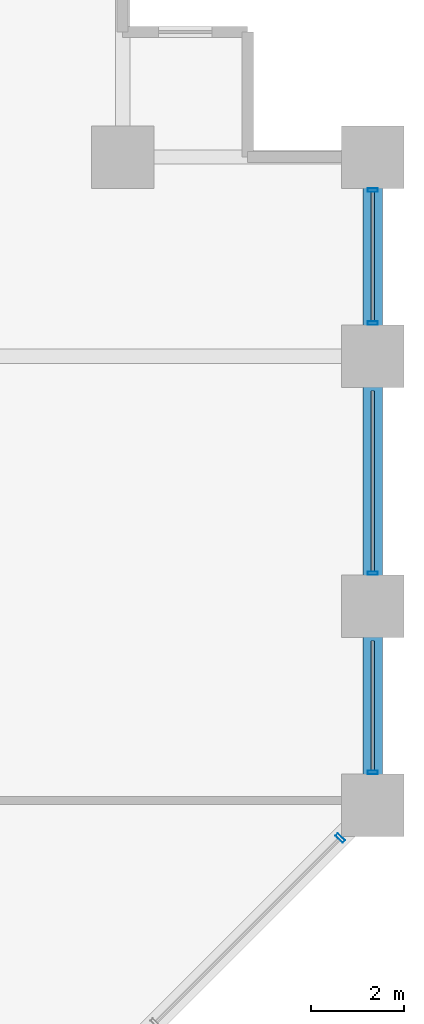
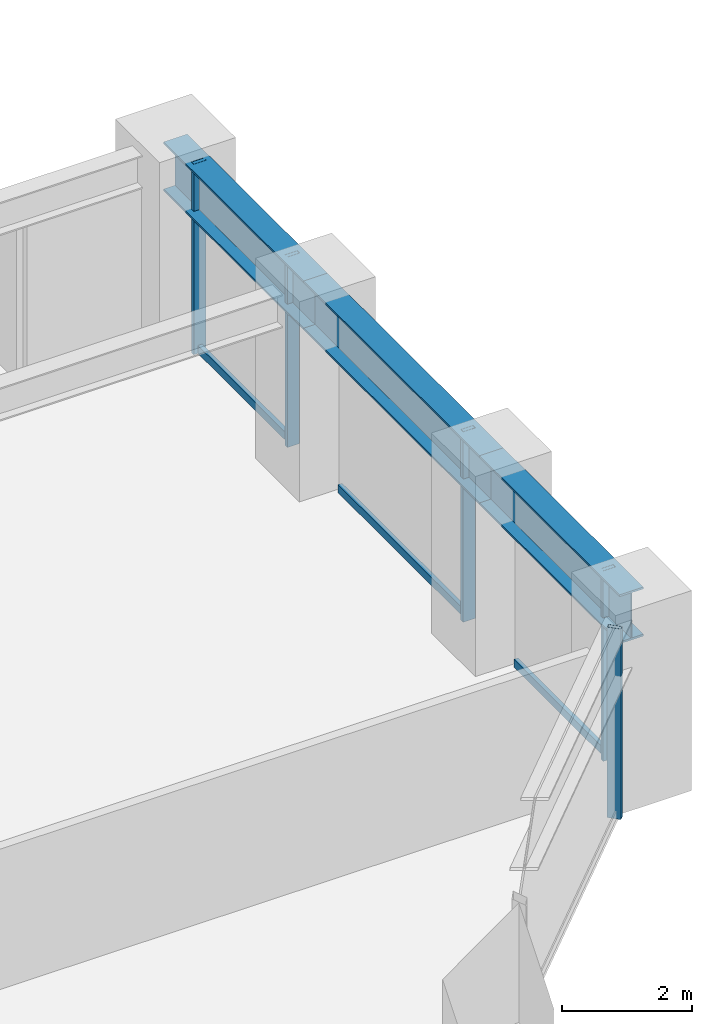
# One storey, part 17 of 25: 8 members, 3 beams, 2 elements without a shape of their own.
"""IFC4 building model written with IfcOpenShell, lengths in metres."""

from ifc_helpers import new_model, si_unit, direction, frame, origin, origin_2d, place, context, subcontext, project, spatial, hollow_rectangle, i_section, extrude, material, layer, layer_set, material_profile, profile_set, type_object, element, aggregate, save


model = new_model("IFC4")

# Units and contexts
model_context = context("Model", 3, precision=1e-05, world=origin(), true_north=direction((0.0, 1.0)))
body_context = subcontext(model_context, "Body", "Model", "MODEL_VIEW")
ifc_project = project(units=[si_unit("LENGTHUNIT", "METRE"), si_unit("AREAUNIT", "SQUARE_METRE"), si_unit("VOLUMEUNIT", "CUBIC_METRE"), si_unit("PLANEANGLEUNIT", "RADIAN"), si_unit("MASSUNIT", "GRAM", prefix="KILO")], contexts=[model_context])

# Site, building, storey
site_placement = place(None, origin())
site = spatial("IfcSite", under=ifc_project, at=site_placement, CompositionType="ELEMENT")
building_placement = place(site_placement, origin())
building = spatial("IfcBuilding", under=site, at=building_placement, Name="Surkhivell Harbour Commons", CompositionType="ELEMENT")
storey_placement = place(building_placement, frame((0.0, 0.0, 45.0)))
storey = spatial("IfcBuildingStorey", under=building, at=storey_placement, Name="L11", CompositionType="ELEMENT", Elevation=45.0)

# Beams
ifc_material_1 = material(Name="Steel S460", Category="steel")
ifc_material_profile_1 = material_profile(ifc_material_1, i_section(OverallWidth=0.419921875, OverallDepth=0.9208984375, WebThickness=0.021484375, FlangeThickness=0.03662109375, at=origin_2d()), Name="UB914x419x388")
ifc_profile_set_1 = profile_set([ifc_material_profile_1], Name="Steel S460")
beam_type = type_object("IfcBeamType", Name="BM-SPN-914A", PredefinedType="SPANDREL", material=ifc_profile_set_1)
beam_1_placement = place(storey_placement, frame((32.39990234375, 6.5, 3.109619140625), z_axis=(0.0, 1.0, 0.0), x_axis=(-1.0, 0.0, 0.0)))
element("IfcBeam", 1, at=beam_1_placement, inside=storey, type_object=beam_type, Name="L11 Tube Spandrel (32.4,6.5)", PredefinedType="SPANDREL", context=body_context, shape_type="SweptSolid", body=[
    extrude(i_section(OverallWidth=0.419921875, OverallDepth=0.9208984375, WebThickness=0.021484375, FlangeThickness=0.03662109375, at=origin_2d()), origin(), (0.0, 0.0, 1.0), 4.300048828125),
])
beam_2_placement = place(storey_placement, frame((32.39990234375, 10.800048828125, 3.109619140625), z_axis=(0.0, 1.0, 0.0), x_axis=(-1.0, 0.0, 0.0)))
element("IfcBeam", 2, at=beam_2_placement, inside=storey, type_object=beam_type, Name="L11 Tube Spandrel (32.4,10.8)", PredefinedType="SPANDREL", context=body_context, shape_type="SweptSolid", body=[
    extrude(i_section(OverallWidth=0.419921875, OverallDepth=0.9208984375, WebThickness=0.021484375, FlangeThickness=0.03662109375, at=origin_2d()), origin(), (0.0, 0.0, 1.0), 5.39990234375),
])
beam_3_placement = place(storey_placement, frame((32.39990234375, 16.199951171875, 3.109619140625), z_axis=(0.0, 1.0, 0.0), x_axis=(-1.0, 0.0, 0.0)))
element("IfcBeam", 3, at=beam_3_placement, inside=storey, type_object=beam_type, Name="L11 Tube Spandrel (32.4,16.2)", PredefinedType="SPANDREL", context=body_context, shape_type="SweptSolid", body=[
    extrude(i_section(OverallWidth=0.419921875, OverallDepth=0.9208984375, WebThickness=0.021484375, FlangeThickness=0.03662109375, at=origin_2d()), origin(), (0.0, 0.0, 1.0), 4.300048828125),
])

# Curtain wall, member
ifc_material_2 = material(Name="Anodised pale-metal aluminium and insulated glazing", Category="aluminium")
ifc_layer = layer(ifc_material_2, 0.219970703125)
ifc_layer_set = layer_set([ifc_layer], Name="Anodised pale-metal aluminium and insulated glazing")
curtain_wall_type = type_object("IfcCurtainWallType", Name="CW-SYS-Z1", PredefinedType="NOTDEFINED", material=ifc_layer_set)
curtain_wall_1_placement = place(storey_placement, origin())
curtain_wall_1 = element("IfcCurtainWall", 4, at=curtain_wall_1_placement, inside=storey, type_object=curtain_wall_type, Name="L11 Curtain Wall CW-L11-E01", PredefinedType="NOTDEFINED")
ifc_material_3 = material(Name="Anodised pale-metal aluminium alloy 6063-T6", Category="aluminium")
ifc_material_profile_2 = material_profile(ifc_material_3, hollow_rectangle(XDim=0.074951171875, YDim=0.219970703125, WallThickness=0.00390625, at=origin_2d()), Name="ALU-MULL-75x220")
ifc_profile_set_2 = profile_set([ifc_material_profile_2], Name="Anodised pale-metal aluminium alloy 6063-T6")
member_type_1 = type_object("IfcMemberType", Name="CWM-220", PredefinedType="MULLION", material=ifc_profile_set_2)
member_1_placement = place(storey_placement, frame((31.69677734375, 5.796630859375, 0.0), z_axis=(0.0, 0.0, 1.0), x_axis=(0.707106781187, 0.707106781187, 0.0)))
member_1 = element("IfcMember", 5, at=member_1_placement, type_object=member_type_1, Name="CW-Z1 mullion 7", PredefinedType="MULLION", context=body_context, shape_type="SweptSolid", body=[
    extrude(hollow_rectangle(XDim=0.074951171875, YDim=0.219970703125, WallThickness=0.00390625, at=origin_2d()), origin(), (0.0, 0.0, 1.0), 3.570068359375),
])
aggregate(curtain_wall_1, [member_1])

# Curtain wall, members
curtain_wall_2_placement = place(storey_placement, origin())
curtain_wall_2 = element("IfcCurtainWall", 6, at=curtain_wall_2_placement, inside=storey, type_object=curtain_wall_type, Name="L11 Curtain Wall CW-L11-E02", PredefinedType="NOTDEFINED")
member_2_placement = place(storey_placement, frame((32.39990234375, 7.214599609375, 0.0), z_axis=(0.0, 0.0, 1.0), x_axis=(0.0, 1.0, 0.0)))
member_2 = element("IfcMember", 7, at=member_2_placement, type_object=member_type_1, Name="CW-Z1 mullion 1", PredefinedType="MULLION", context=body_context, shape_type="SweptSolid", body=[
    extrude(hollow_rectangle(XDim=0.074951171875, YDim=0.219970703125, WallThickness=0.00390625, at=origin_2d()), origin(), (0.0, 0.0, 1.0), 3.570068359375),
])
member_3_placement = place(storey_placement, frame((32.39990234375, 11.514404296875, 0.0), z_axis=(0.0, 0.0, 1.0), x_axis=(0.0, 1.0, 0.0)))
member_3 = element("IfcMember", 8, at=member_3_placement, type_object=member_type_1, Name="CW-Z1 mullion 2", PredefinedType="MULLION", context=body_context, shape_type="SweptSolid", body=[
    extrude(hollow_rectangle(XDim=0.074951171875, YDim=0.219970703125, WallThickness=0.00390625, at=origin_2d()), origin(), (0.0, 0.0, 1.0), 3.570068359375),
])
member_4_placement = place(storey_placement, frame((32.39990234375, 16.91455078125, 0.0), z_axis=(0.0, 0.0, 1.0), x_axis=(0.0, 1.0, 0.0)))
member_4 = element("IfcMember", 9, at=member_4_placement, type_object=member_type_1, Name="CW-Z1 mullion 3", PredefinedType="MULLION", context=body_context, shape_type="SweptSolid", body=[
    extrude(hollow_rectangle(XDim=0.074951171875, YDim=0.219970703125, WallThickness=0.00390625, at=origin_2d()), origin(), (0.0, 0.0, 1.0), 3.570068359375),
])
member_5_placement = place(storey_placement, frame((32.39990234375, 19.785400390625, 0.0), z_axis=(0.0, 0.0, 1.0), x_axis=(0.0, 1.0, 0.0)))
member_5 = element("IfcMember", 10, at=member_5_placement, type_object=member_type_1, Name="CW-Z1 mullion 4", PredefinedType="MULLION", context=body_context, shape_type="SweptSolid", body=[
    extrude(hollow_rectangle(XDim=0.074951171875, YDim=0.219970703125, WallThickness=0.00390625, at=origin_2d()), origin(), (0.0, 0.0, 1.0), 3.570068359375),
])
ifc_material_profile_3 = material_profile(ifc_material_3, hollow_rectangle(XDim=0.074951171875, YDim=0.14990234375, WallThickness=0.00341796875, at=origin_2d()), Name="ALU-TRAN-75x150")
ifc_profile_set_3 = profile_set([ifc_material_profile_3], Name="Anodised pale-metal aluminium alloy 6063-T6")
member_type_2 = type_object("IfcMemberType", Name="CWT-150", PredefinedType="USERDEFINED", material=ifc_profile_set_3)
member_6_placement = place(storey_placement, frame((32.39990234375, 7.251953125, 0.074951171875), z_axis=(0.0, 1.0, 0.0), x_axis=(-1.0, 0.0, 0.0)))
member_6 = element("IfcMember", 11, at=member_6_placement, type_object=member_type_2, Name="CW-Z1 transom 1.1", ObjectType="TRANSOM", PredefinedType="USERDEFINED", context=body_context, shape_type="SweptSolid", body=[
    extrude(hollow_rectangle(XDim=0.074951171875, YDim=0.14990234375, WallThickness=0.00341796875, at=origin_2d()), origin(), (0.0, 0.0, 1.0), 2.796142578125),
])
member_7_placement = place(storey_placement, frame((32.39990234375, 11.552001953125, 0.074951171875), z_axis=(0.0, 1.0, 0.0), x_axis=(-1.0, 0.0, 0.0)))
member_7 = element("IfcMember", 12, at=member_7_placement, type_object=member_type_2, Name="CW-Z1 transom 2.1", ObjectType="TRANSOM", PredefinedType="USERDEFINED", context=body_context, shape_type="SweptSolid", body=[
    extrude(hollow_rectangle(XDim=0.074951171875, YDim=0.14990234375, WallThickness=0.00341796875, at=origin_2d()), origin(), (0.0, 0.0, 1.0), 3.89599609375),
])
member_8_placement = place(storey_placement, frame((32.39990234375, 16.951904296875, 0.074951171875), z_axis=(0.0, 1.0, 0.0), x_axis=(-1.0, 0.0, 0.0)))
member_8 = element("IfcMember", 13, at=member_8_placement, type_object=member_type_2, Name="CW-Z1 transom 3.1", ObjectType="TRANSOM", PredefinedType="USERDEFINED", context=body_context, shape_type="SweptSolid", body=[
    extrude(hollow_rectangle(XDim=0.074951171875, YDim=0.14990234375, WallThickness=0.00341796875, at=origin_2d()), origin(), (0.0, 0.0, 1.0), 2.796142578125),
])
aggregate(curtain_wall_2, [member_2, member_6, member_3, member_7, member_4, member_5, member_8])

save(model, "model.ifc")
